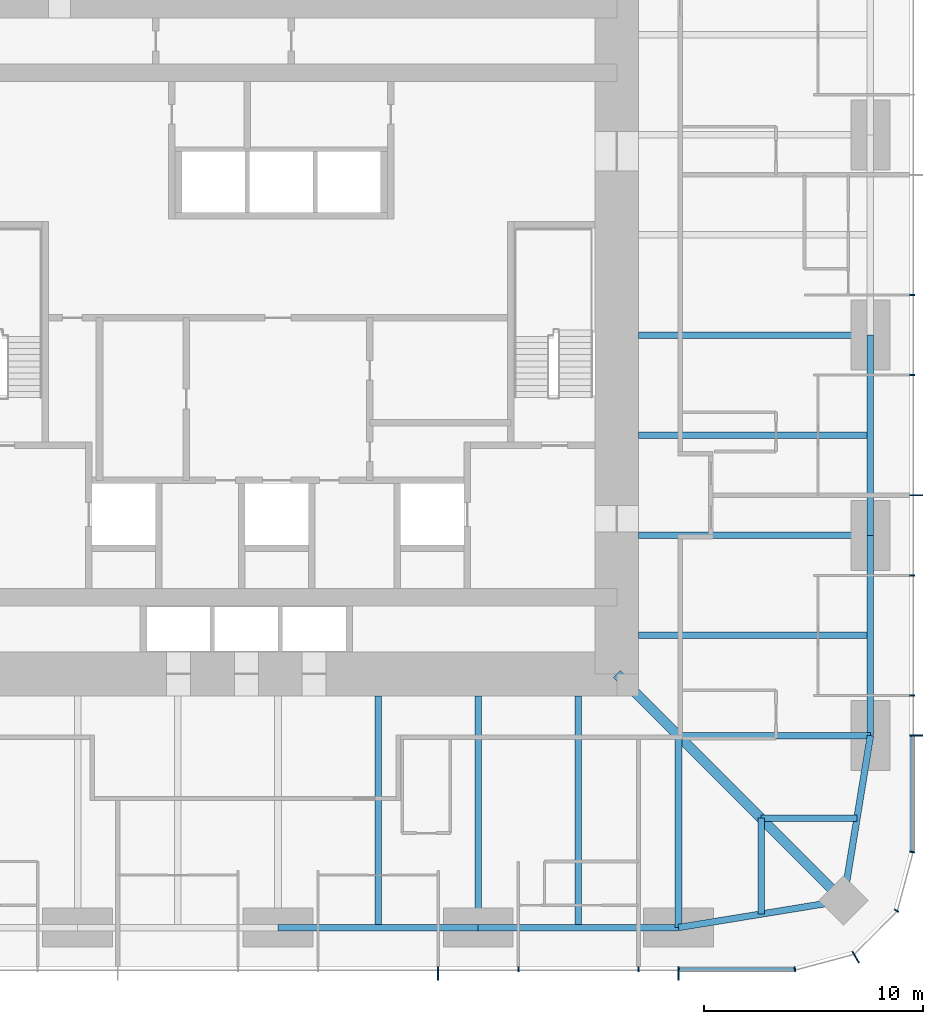
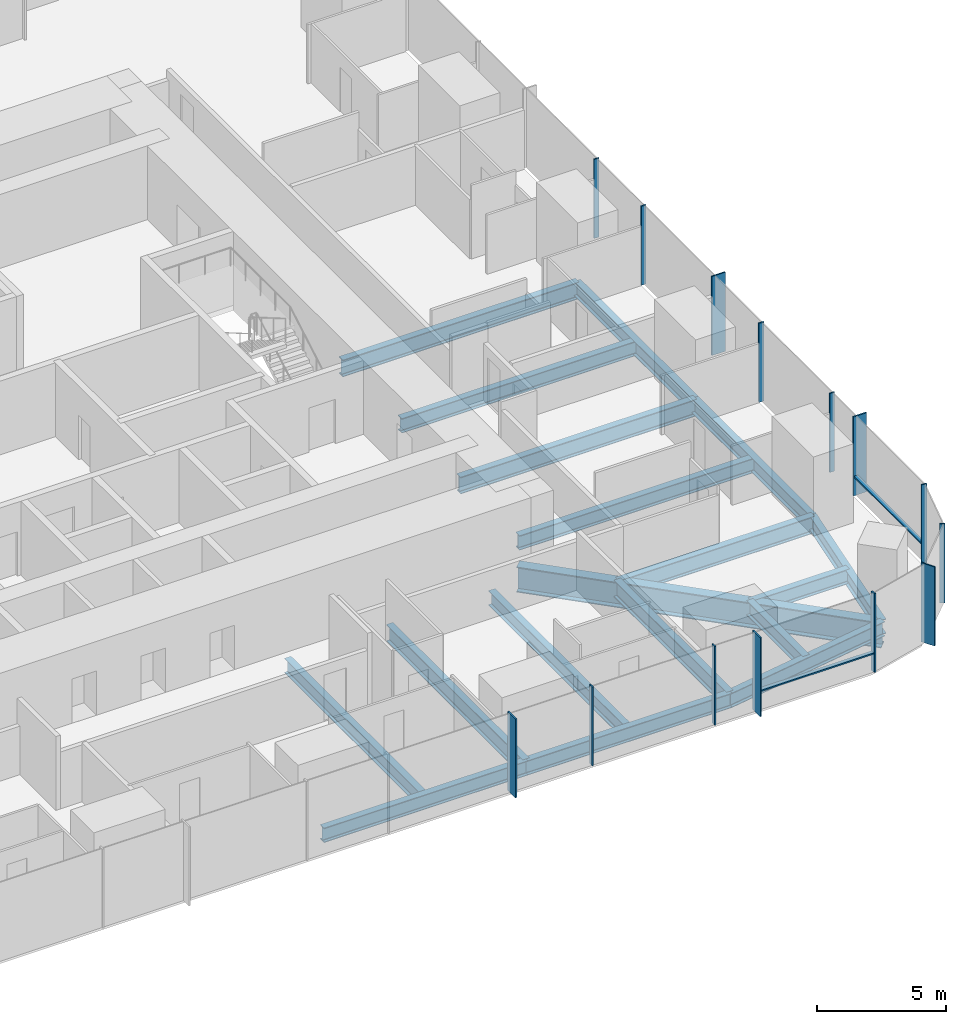
# One storey, part 4 of 13: 18 beams, 16 members, 3 elements without a shape of their own.
"""IFC4 building model written with IfcOpenShell, lengths in metres."""

from ifc_helpers import new_model, si_unit, direction, frame, origin, origin_2d, place, context, subcontext, project, spatial, rectangle, i_section, extrude, material, material_profile, profile_set, type_object, element, aggregate, save


model = new_model("IFC4")

# Units and contexts
model_context = context("Model", 3, precision=1e-05, world=origin(), true_north=direction((0.0, 1.0)))
body_context = subcontext(model_context, "Body", "Model", "MODEL_VIEW")
ifc_project = project(units=[si_unit("LENGTHUNIT", "METRE"), si_unit("AREAUNIT", "SQUARE_METRE"), si_unit("VOLUMEUNIT", "CUBIC_METRE"), si_unit("PLANEANGLEUNIT", "RADIAN"), si_unit("MASSUNIT", "GRAM", prefix="KILO")], contexts=[model_context])

# Site, building, storey
site_placement = place(None, origin())
site = spatial("IfcSite", under=ifc_project, at=site_placement, CompositionType="ELEMENT")
building_placement = place(site_placement, origin())
building = spatial("IfcBuilding", under=site, at=building_placement, Name="Khuree Lantern Residences", CompositionType="ELEMENT")
storey_placement = place(building_placement, frame((0.0, 0.0, 129.75)))
storey = spatial("IfcBuildingStorey", under=building, at=storey_placement, Name="L32", CompositionType="ELEMENT", Elevation=129.75)

# Beams
ifc_material_1 = material(Name="Steel S355", Category="steel")
ifc_material_profile_1 = material_profile(ifc_material_1, i_section(OverallWidth=0.300048828125, OverallDepth=0.68994140625, WebThickness=0.014404296875, FlangeThickness=0.027099609375, FilletRadius=0.027099609375, at=origin_2d()), Name="HE 700 A")
ifc_profile_set_1 = profile_set([ifc_material_profile_1], Name="Steel S355")
beam_type_1 = type_object("IfcBeamType", Name="B-22 SECONDARY BEAM HE 700 A", PredefinedType="BEAM", material=ifc_profile_set_1)
for number, where, z_axis, x_axis, name in (
    (1, (27.10009765625, -4.580078125, -0.594970703125), (-1.0, 0.0, 0.0), (0.0, -1.0, 0.0), "Secondary beam E4"),
    (2, (27.10009765625, -13.739990234375, -0.594970703125), (-1.0, 0.0, 0.0), (0.0, -1.0, 0.0), "Secondary beam E5"),
):
    element("IfcBeam", number, at=place(storey_placement, frame(where, z_axis=z_axis, x_axis=x_axis)), inside=storey, type_object=beam_type_1, Name=name, PredefinedType="BEAM", context=body_context, shape_type="SweptSolid", body=[
        extrude(i_section(OverallWidth=0.300048828125, OverallDepth=0.68994140625, WebThickness=0.014404296875, FlangeThickness=0.027099609375, FilletRadius=0.027099609375, at=origin_2d()), origin(), (0.0, 0.0, 1.0), 10.60009765625),
    ])
for number, where, z_axis, x_axis, name in (
    (3, (26.48486328125, -22.094970703125, -0.594970703125), (-1.0, 0.0, 0.0), (0.0, -1.0, 0.0), "Secondary beam E6"),
    (4, (22.094970703125, -26.48486328125, -0.594970703125), (0.0, 1.0, 0.0), (-1.0, 0.0, 0.0), "Secondary beam S1"),
):
    element("IfcBeam", number, at=place(storey_placement, frame(where, z_axis=z_axis, x_axis=x_axis)), inside=storey, type_object=beam_type_1, Name=name, PredefinedType="BEAM", context=body_context, shape_type="SweptSolid", body=[
        extrude(i_section(OverallWidth=0.300048828125, OverallDepth=0.68994140625, WebThickness=0.014404296875, FlangeThickness=0.027099609375, FilletRadius=0.027099609375, at=origin_2d()), origin(), (0.0, 0.0, 1.0), 4.389892578125),
    ])
for number, where, z_axis, x_axis, name in (
    (5, (13.739990234375, -27.10009765625, -0.594970703125), (0.0, 1.0, 0.0), (-1.0, 0.0, 0.0), "Secondary beam S2"),
    (6, (4.580078125, -27.10009765625, -0.594970703125), (0.0, 1.0, 0.0), (-1.0, 0.0, 0.0), "Secondary beam S3"),
):
    element("IfcBeam", number, at=place(storey_placement, frame(where, z_axis=z_axis, x_axis=x_axis)), inside=storey, type_object=beam_type_1, Name=name, PredefinedType="BEAM", context=body_context, shape_type="SweptSolid", body=[
        extrude(i_section(OverallWidth=0.300048828125, OverallDepth=0.68994140625, WebThickness=0.014404296875, FlangeThickness=0.027099609375, FilletRadius=0.027099609375, at=origin_2d()), origin(), (0.0, 0.0, 1.0), 10.60009765625),
    ])
ifc_material_profile_2 = material_profile(ifc_material_1, i_section(OverallWidth=0.300048828125, OverallDepth=0.68994140625, WebThickness=0.014404296875, FlangeThickness=0.027099609375, FilletRadius=0.027099609375, at=origin_2d()), Name="HE 700 A")
ifc_profile_set_2 = profile_set([ifc_material_profile_2], Name="Steel S355")
beam_type_2 = type_object("IfcBeamType", Name="E-22 SPANDREL BEAM HE 700 A", PredefinedType="SPANDREL", material=ifc_profile_set_2)
beam_1_placement = place(storey_placement, frame((27.10009765625, 0.0, -0.594970703125), z_axis=(0.0, -1.0, 0.0), x_axis=(1.0, 0.0, 0.0)))
element("IfcBeam", 7, at=beam_1_placement, inside=storey, type_object=beam_type_2, Name="Spandrel beam E4", PredefinedType="SPANDREL", context=body_context, shape_type="SweptSolid", body=[
    extrude(i_section(OverallWidth=0.300048828125, OverallDepth=0.68994140625, WebThickness=0.014404296875, FlangeThickness=0.027099609375, FilletRadius=0.027099609375, at=origin_2d()), origin(), (0.0, 0.0, 1.0), 9.159912109375),
])
beam_2_placement = place(storey_placement, frame((27.10009765625, -9.159912109375, -0.594970703125), z_axis=(0.0, -1.0, 0.0), x_axis=(1.0, 0.0, 0.0)))
element("IfcBeam", 8, at=beam_2_placement, inside=storey, type_object=beam_type_2, Name="Spandrel beam E5", PredefinedType="SPANDREL", context=body_context, shape_type="SweptSolid", body=[
    extrude(i_section(OverallWidth=0.300048828125, OverallDepth=0.68994140625, WebThickness=0.014404296875, FlangeThickness=0.027099609375, FilletRadius=0.027099609375, at=origin_2d()), origin(), (0.0, 0.0, 1.0), 9.16015625),
])
for number, where, z_axis, x_axis, name in (
    (9, (27.10009765625, -18.320068359375, -0.594970703125), (-0.160826723833, -0.986982656839, 0.0), (0.986982656839, -0.160826723833, 0.0), "Spandrel beam E6"),
    (10, (25.869873046875, -25.869873046875, -0.594970703125), (-0.986982656839, -0.160826723833, 0.0), (0.160826723833, -0.986982656839, 0.0), "Spandrel beam S1"),
):
    element("IfcBeam", number, at=place(storey_placement, frame(where, z_axis=z_axis, x_axis=x_axis)), inside=storey, type_object=beam_type_2, Name=name, PredefinedType="SPANDREL", context=body_context, shape_type="SweptSolid", body=[
        extrude(i_section(OverallWidth=0.300048828125, OverallDepth=0.68994140625, WebThickness=0.014404296875, FlangeThickness=0.027099609375, FilletRadius=0.027099609375, at=origin_2d()), origin(), (0.0, 0.0, 1.0), 7.6494140625),
    ])
beam_3_placement = place(storey_placement, frame((18.320068359375, -27.10009765625, -0.594970703125), z_axis=(-1.0, 0.0, 0.0), x_axis=(0.0, -1.0, 0.0)))
element("IfcBeam", 11, at=beam_3_placement, inside=storey, type_object=beam_type_2, Name="Spandrel beam S2", PredefinedType="SPANDREL", context=body_context, shape_type="SweptSolid", body=[
    extrude(i_section(OverallWidth=0.300048828125, OverallDepth=0.68994140625, WebThickness=0.014404296875, FlangeThickness=0.027099609375, FilletRadius=0.027099609375, at=origin_2d()), origin(), (0.0, 0.0, 1.0), 9.16015625),
])
beam_4_placement = place(storey_placement, frame((9.159912109375, -27.10009765625, -0.594970703125), z_axis=(-1.0, 0.0, 0.0), x_axis=(0.0, -1.0, 0.0)))
element("IfcBeam", 12, at=beam_4_placement, inside=storey, type_object=beam_type_2, Name="Spandrel beam S3", PredefinedType="SPANDREL", context=body_context, shape_type="SweptSolid", body=[
    extrude(i_section(OverallWidth=0.300048828125, OverallDepth=0.68994140625, WebThickness=0.014404296875, FlangeThickness=0.027099609375, FilletRadius=0.027099609375, at=origin_2d()), origin(), (0.0, 0.0, 1.0), 9.159912109375),
])

# Curtain wall, member
ifc_material_2 = material(Name="Bronze anodised aluminium", Category="aluminium")
curtain_wall_type_1 = type_object("IfcCurtainWallType", Name="CW-T2 TOWER CORNER CURTAIN WALL", PredefinedType="USERDEFINED", material=ifc_material_2)
curtain_wall_1_placement = place(storey_placement, origin())
curtain_wall_1 = element("IfcCurtainWall", 13, at=curtain_wall_1_placement, inside=storey, type_object=curtain_wall_type_1, Name="L32 SOUTH-EAST CORNER CURTAIN WALL", ObjectType="Faceted corner curtain wall", PredefinedType="USERDEFINED")
ifc_material_profile_3 = material_profile(ifc_material_2, rectangle(XDim=0.06494140625, YDim=0.60009765625, at=origin_2d()), Name="F1 65X600")
ifc_profile_set_3 = profile_set([ifc_material_profile_3], Name="Bronze anodised aluminium")
member_type_1 = type_object("IfcMemberType", Name="F1 BRONZE FIN MULLION TOWER 65X600", PredefinedType="MULLION", material=ifc_profile_set_3)
member_1_placement = place(storey_placement, frame((26.425048828125, -28.45654296875, 0.0), z_axis=(0.0, 0.0, 1.0), x_axis=(0.866025388199, 0.500000026995, 0.0)))
member_1 = element("IfcMember", 14, at=member_1_placement, type_object=member_type_1, Name="L32 SOUTH-EAST CORNER FIN MULLION 2", PredefinedType="MULLION", context=body_context, shape_type="SweptSolid", body=[
    extrude(rectangle(XDim=0.06494140625, YDim=0.60009765625, at=origin_2d()), origin(), (0.0, 0.0, 1.0), 3.75),
])

# Curtain wall, members
curtain_wall_type_2 = type_object("IfcCurtainWallType", Name="CW-T1 TOWER FACE CURTAIN WALL", PredefinedType="USERDEFINED", material=ifc_material_2)
curtain_wall_2_placement = place(storey_placement, origin())
curtain_wall_2 = element("IfcCurtainWall", 15, at=curtain_wall_2_placement, inside=storey, type_object=curtain_wall_type_2, Name="L32 EAST FACE CURTAIN WALL", ObjectType="Stick-built curtain wall", PredefinedType="USERDEFINED")
member_2_placement = place(storey_placement, frame((29.199951171875, -18.320068359375, 0.0), z_axis=(0.0, 0.0, 1.0), x_axis=(0.0, 1.0, 0.0)))
member_2 = element("IfcMember", 16, at=member_2_placement, type_object=member_type_1, Name="L32 EAST FACE FIN MULLION 5", PredefinedType="MULLION", context=body_context, shape_type="SweptSolid", body=[
    extrude(rectangle(XDim=0.06494140625, YDim=0.60009765625, at=origin_2d()), origin(), (0.0, 0.0, 1.0), 3.75),
])
member_3_placement = place(storey_placement, frame((29.199951171875, -7.327880859375, 0.0), z_axis=(0.0, 0.0, 1.0), x_axis=(0.0, 1.0, 0.0)))
member_3 = element("IfcMember", 17, at=member_3_placement, type_object=member_type_1, Name="L32 EAST FACE FIN MULLION 8", PredefinedType="MULLION", context=body_context, shape_type="SweptSolid", body=[
    extrude(rectangle(XDim=0.06494140625, YDim=0.60009765625, at=origin_2d()), origin(), (0.0, 0.0, 1.0), 3.75),
])

curtain_wall_3_placement = place(storey_placement, origin())
curtain_wall_3 = element("IfcCurtainWall", 18, at=curtain_wall_3_placement, inside=storey, type_object=curtain_wall_type_2, Name="L32 SOUTH FACE CURTAIN WALL", ObjectType="Stick-built curtain wall", PredefinedType="USERDEFINED")
member_4_placement = place(storey_placement, frame((7.327880859375, -29.199951171875, 0.0), z_axis=(0.0, 0.0, 1.0), x_axis=(1.0, 0.0, 0.0)))
member_4 = element("IfcMember", 19, at=member_4_placement, type_object=member_type_1, Name="L32 SOUTH FACE FIN MULLION 53", PredefinedType="MULLION", context=body_context, shape_type="SweptSolid", body=[
    extrude(rectangle(XDim=0.06494140625, YDim=0.60009765625, at=origin_2d()), origin(), (0.0, 0.0, 1.0), 3.75),
])
member_5_placement = place(storey_placement, frame((18.320068359375, -29.199951171875, 0.0), z_axis=(0.0, 0.0, 1.0), x_axis=(1.0, 0.0, 0.0)))
member_5 = element("IfcMember", 20, at=member_5_placement, type_object=member_type_1, Name="L32 SOUTH FACE FIN MULLION 56", PredefinedType="MULLION", context=body_context, shape_type="SweptSolid", body=[
    extrude(rectangle(XDim=0.06494140625, YDim=0.60009765625, at=origin_2d()), origin(), (0.0, 0.0, 1.0), 3.75),
])

# Beams
ifc_material_profile_4 = material_profile(ifc_material_1, i_section(OverallWidth=0.300048828125, OverallDepth=0.800048828125, WebThickness=0.017578125, FlangeThickness=0.032958984375, FilletRadius=0.030029296875, at=origin_2d()), Name="HE 800 B")
ifc_profile_set_4 = profile_set([ifc_material_profile_4], Name="Steel S355")
beam_type_3 = type_object("IfcBeamType", Name="G-22 GIRDER HE 800 B", PredefinedType="BEAM", material=ifc_profile_set_4)
for number, where, z_axis, x_axis, name in (
    (21, (27.10009765625, 0.0, -0.64990234375), (-1.0, 0.0, 0.0), (0.0, -1.0, 0.0), "Girder E3"),
    (22, (27.10009765625, -9.159912109375, -0.64990234375), (-1.0, 0.0, 0.0), (0.0, -1.0, 0.0), "Girder E4"),
):
    element("IfcBeam", number, at=place(storey_placement, frame(where, z_axis=z_axis, x_axis=x_axis)), inside=storey, type_object=beam_type_3, Name=name, PredefinedType="BEAM", context=body_context, shape_type="SweptSolid", body=[
        extrude(i_section(OverallWidth=0.300048828125, OverallDepth=0.800048828125, WebThickness=0.017578125, FlangeThickness=0.032958984375, FilletRadius=0.030029296875, at=origin_2d()), origin(), (0.0, 0.0, 1.0), 10.60009765625),
    ])
for number, where, z_axis, x_axis, name in (
    (23, (27.10009765625, -18.320068359375, -0.64990234375), (-1.0, 0.0, 0.0), (0.0, -1.0, 0.0), "Girder E5"),
    (24, (18.320068359375, -27.10009765625, -0.64990234375), (0.0, 1.0, 0.0), (-1.0, 0.0, 0.0), "Girder S1"),
):
    element("IfcBeam", number, at=place(storey_placement, frame(where, z_axis=z_axis, x_axis=x_axis)), inside=storey, type_object=beam_type_3, Name=name, PredefinedType="BEAM", context=body_context, shape_type="SweptSolid", body=[
        extrude(i_section(OverallWidth=0.300048828125, OverallDepth=0.800048828125, WebThickness=0.017578125, FlangeThickness=0.032958984375, FilletRadius=0.030029296875, at=origin_2d()), origin(), (0.0, 0.0, 1.0), 8.780029296875),
    ])
beam_5_placement = place(storey_placement, frame((9.159912109375, -27.10009765625, -0.64990234375), z_axis=(0.0, 1.0, 0.0), x_axis=(-1.0, 0.0, 0.0)))
element("IfcBeam", 25, at=beam_5_placement, inside=storey, type_object=beam_type_3, Name="Girder S2", PredefinedType="BEAM", context=body_context, shape_type="SweptSolid", body=[
    extrude(i_section(OverallWidth=0.300048828125, OverallDepth=0.800048828125, WebThickness=0.017578125, FlangeThickness=0.032958984375, FilletRadius=0.030029296875, at=origin_2d()), origin(), (0.0, 0.0, 1.0), 10.60009765625),
])
ifc_material_profile_5 = material_profile(ifc_material_1, i_section(OverallWidth=0.449951171875, OverallDepth=1.199951171875, WebThickness=0.02490234375, FlangeThickness=0.044921875, at=origin_2d()), Name="WELDED I 1200X450X25X45")
ifc_profile_set_5 = profile_set([ifc_material_profile_5], Name="Steel S355")
beam_type_4 = type_object("IfcBeamType", Name="GD-22 CORNER GIRDER WELDED I 1200X450X25X45", PredefinedType="BEAM", material=ifc_profile_set_5)
beam_6_placement = place(storey_placement, frame((25.869873046875, -25.869873046875, -0.85009765625), z_axis=(-0.707106781187, 0.707106781187, 0.0), x_axis=(-0.707106781187, -0.707106781187, 0.0)))
element("IfcBeam", 26, at=beam_6_placement, inside=storey, type_object=beam_type_4, Name="Corner girder SE", PredefinedType="BEAM", context=body_context, shape_type="SweptSolid", body=[
    extrude(i_section(OverallWidth=0.449951171875, OverallDepth=1.199951171875, WebThickness=0.02490234375, FlangeThickness=0.044921875, at=origin_2d()), origin(), (0.0, 0.0, 1.0), 14.665283203125),
])

# Member
ifc_material_profile_6 = material_profile(ifc_material_2, rectangle(XDim=0.06494140625, YDim=0.219970703125, at=origin_2d()), Name="M1 65X220")
ifc_profile_set_6 = profile_set([ifc_material_profile_6], Name="Bronze anodised aluminium")
member_type_2 = type_object("IfcMemberType", Name="M1 BRONZE MULLION TOWER 65X220", PredefinedType="MULLION", material=ifc_profile_set_6)
member_6_placement = place(storey_placement, frame((23.64501953125, -29.01171875, 0.0), z_axis=(0.0, 0.0, 1.0), x_axis=(0.991444857305, 0.130526223125, 0.0)))
member_6 = element("IfcMember", 27, at=member_6_placement, type_object=member_type_2, Name="L32 SOUTH-EAST CORNER MULLION 1", PredefinedType="MULLION", context=body_context, shape_type="SweptSolid", body=[
    extrude(rectangle(XDim=0.06494140625, YDim=0.219970703125, at=origin_2d()), origin(), (0.0, 0.0, 1.0), 3.75),
])

member_7_placement = place(storey_placement, frame((28.2919921875, -26.330078125, 0.0), z_axis=(0.0, 0.0, 1.0), x_axis=(0.500000026995, 0.866025388199, 0.0)))
member_7 = element("IfcMember", 28, at=member_7_placement, type_object=member_type_2, Name="L32 SOUTH-EAST CORNER MULLION 3", PredefinedType="MULLION", context=body_context, shape_type="SweptSolid", body=[
    extrude(rectangle(XDim=0.06494140625, YDim=0.219970703125, at=origin_2d()), origin(), (0.0, 0.0, 1.0), 3.75),
])

aggregate(curtain_wall_1, [member_6, member_1, member_7])

member_8_placement = place(storey_placement, frame((29.01171875, -23.64501953125, 0.0), z_axis=(0.0, 0.0, 1.0), x_axis=(0.130526223125, 0.991444857305, 0.0)))
member_8 = element("IfcMember", 29, at=member_8_placement, type_object=member_type_2, Name="L32 EAST FACE MULLION 4", PredefinedType="MULLION", context=body_context, shape_type="SweptSolid", body=[
    extrude(rectangle(XDim=0.06494140625, YDim=0.219970703125, at=origin_2d()), origin(), (0.0, 0.0, 1.0), 3.75),
])

member_9_placement = place(storey_placement, frame((29.010009765625, -16.488037109375, 0.0), z_axis=(0.0, 0.0, 1.0), x_axis=(0.0, 1.0, 0.0)))
member_9 = element("IfcMember", 30, at=member_9_placement, type_object=member_type_2, Name="L32 EAST FACE MULLION 6", PredefinedType="MULLION", context=body_context, shape_type="SweptSolid", body=[
    extrude(rectangle(XDim=0.06494140625, YDim=0.219970703125, at=origin_2d()), origin(), (0.0, 0.0, 1.0), 3.75),
])

member_10_placement = place(storey_placement, frame((29.010009765625, -10.991943359375, 0.0), z_axis=(0.0, 0.0, 1.0), x_axis=(0.0, 1.0, 0.0)))
member_10 = element("IfcMember", 31, at=member_10_placement, type_object=member_type_2, Name="L32 EAST FACE MULLION 7", PredefinedType="MULLION", context=body_context, shape_type="SweptSolid", body=[
    extrude(rectangle(XDim=0.06494140625, YDim=0.219970703125, at=origin_2d()), origin(), (0.0, 0.0, 1.0), 3.75),
])

member_11_placement = place(storey_placement, frame((29.010009765625, -1.83203125, 0.0), z_axis=(0.0, 0.0, 1.0), x_axis=(0.0, 1.0, 0.0)))
member_11 = element("IfcMember", 32, at=member_11_placement, type_object=member_type_2, Name="L32 EAST FACE MULLION 9", PredefinedType="MULLION", context=body_context, shape_type="SweptSolid", body=[
    extrude(rectangle(XDim=0.06494140625, YDim=0.219970703125, at=origin_2d()), origin(), (0.0, 0.0, 1.0), 3.75),
])

member_12_placement = place(storey_placement, frame((29.010009765625, 1.83203125, 0.0), z_axis=(0.0, 0.0, 1.0), x_axis=(0.0, 1.0, 0.0)))
member_12 = element("IfcMember", 33, at=member_12_placement, type_object=member_type_2, Name="L32 EAST FACE MULLION 10", PredefinedType="MULLION", context=body_context, shape_type="SweptSolid", body=[
    extrude(rectangle(XDim=0.06494140625, YDim=0.219970703125, at=origin_2d()), origin(), (0.0, 0.0, 1.0), 3.75),
])

member_13_placement = place(storey_placement, frame((10.991943359375, -29.010009765625, 0.0), z_axis=(0.0, 0.0, 1.0), x_axis=(1.0, 0.0, 0.0)))
member_13 = element("IfcMember", 34, at=member_13_placement, type_object=member_type_2, Name="L32 SOUTH FACE MULLION 54", PredefinedType="MULLION", context=body_context, shape_type="SweptSolid", body=[
    extrude(rectangle(XDim=0.06494140625, YDim=0.219970703125, at=origin_2d()), origin(), (0.0, 0.0, 1.0), 3.75),
])

member_14_placement = place(storey_placement, frame((16.488037109375, -29.010009765625, 0.0), z_axis=(0.0, 0.0, 1.0), x_axis=(1.0, 0.0, 0.0)))
member_14 = element("IfcMember", 35, at=member_14_placement, type_object=member_type_2, Name="L32 SOUTH FACE MULLION 55", PredefinedType="MULLION", context=body_context, shape_type="SweptSolid", body=[
    extrude(rectangle(XDim=0.06494140625, YDim=0.219970703125, at=origin_2d()), origin(), (0.0, 0.0, 1.0), 3.75),
])

ifc_material_profile_7 = material_profile(ifc_material_2, rectangle(XDim=0.179931640625, YDim=0.06494140625, at=origin_2d()), Name="T1 180X65")
ifc_profile_set_7 = profile_set([ifc_material_profile_7], Name="Bronze anodised aluminium")
member_type_3 = type_object("IfcMemberType", Name="TRANSOM T1 TOWER 180X65", PredefinedType="USERDEFINED", material=ifc_profile_set_7)
member_15_placement = place(storey_placement, frame((29.02001953125, -23.601318359375, 0.89990234375), z_axis=(0.0, 1.0, 0.0), x_axis=(-1.0, 0.0, 0.0)))
member_15 = element("IfcMember", 36, at=member_15_placement, type_object=member_type_3, Name="L32 EAST FACE TRANSOM 4.1", ObjectType="Transom", PredefinedType="USERDEFINED", context=body_context, shape_type="SweptSolid", body=[
    extrude(rectangle(XDim=0.179931640625, YDim=0.06494140625, at=origin_2d()), origin(), (0.0, 0.0, 1.0), 5.248779296875),
])

aggregate(curtain_wall_2, [member_8, member_2, member_9, member_10, member_3, member_11, member_12, member_15])

member_16_placement = place(storey_placement, frame((18.3525390625, -29.02001953125, 0.89990234375), z_axis=(1.0, 0.0, 0.0), x_axis=(0.0, 1.0, 0.0)))
member_16 = element("IfcMember", 37, at=member_16_placement, type_object=member_type_3, Name="L32 SOUTH FACE TRANSOM 56.1", ObjectType="Transom", PredefinedType="USERDEFINED", context=body_context, shape_type="SweptSolid", body=[
    extrude(rectangle(XDim=0.179931640625, YDim=0.06494140625, at=origin_2d()), origin(), (0.0, 0.0, 1.0), 5.248779296875),
])

aggregate(curtain_wall_3, [member_4, member_13, member_14, member_5, member_16])

save(model, "model.ifc")
